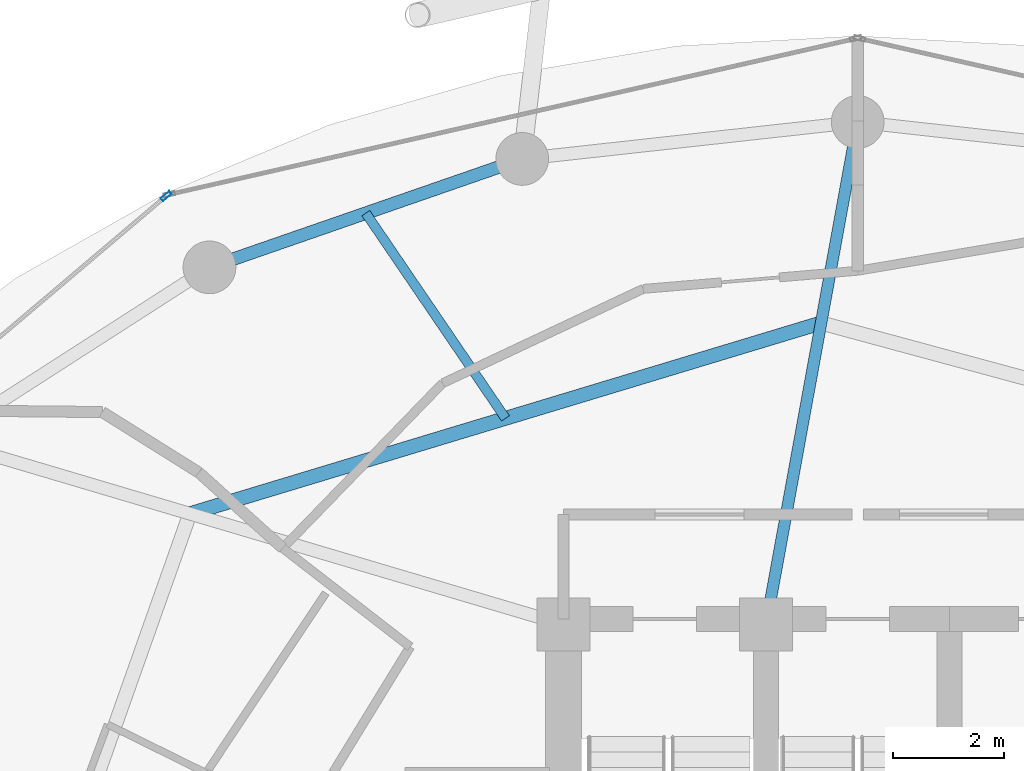
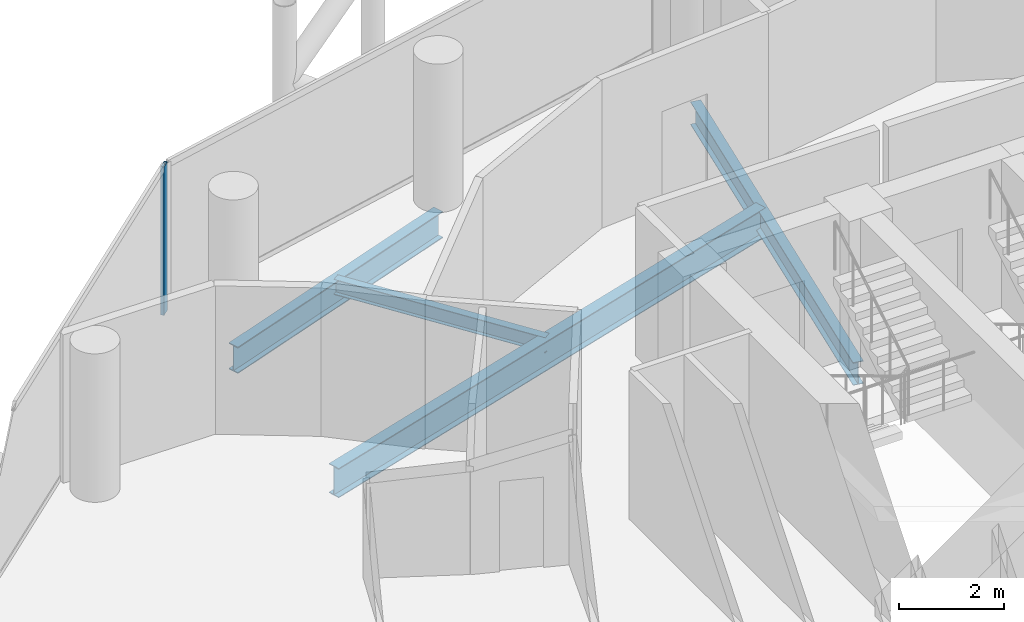
# One storey, part 15 of 26: 4 beams, 1 member, 1 element without a shape of its own.
"""IFC4 building model written with IfcOpenShell, lengths in metres."""

import ifcopenshell
import ifcopenshell.guid

model = None  # the IFC model being written
_history = None  # IfcOwnerHistory: only IFC2X3 demands one
_inside = {}  # id of a spatial element -> (the spatial element, [elements in it])
_under = {}  # id of a project, library or spatial element -> (it, [spatial elements below it])
_declared = {}  # id of a project -> (the project, [libraries it declares])
_typed = {}  # id of a type object -> (the type object, [elements of that type])
_made_of = {}  # id of a material, layer set ... -> (it, [elements and type objects made of it])


def new_model(schema):
    """Start an empty IFC model of exactly this schema.

    Asked for "IFC4X3", IfcOpenShell would pick the latest addendum, in which some entities
    have other attributes; the version numbers below select the first issue.
    IFC2X3 requires an IfcOwnerHistory on every rooted entity: one is made here for all.
    """
    global model, _history
    if schema == "IFC4X3":
        model = ifcopenshell.file(schema_version=(4, 3, 0, 0))
    else:
        model = ifcopenshell.file(schema=schema)
    _inside.clear()
    _under.clear()
    _declared.clear()
    _typed.clear()
    _made_of.clear()
    _history = None
    if model.schema == "IFC2X3":
        org = make("IfcOrganization", Name="unknown")
        user = make(
            "IfcPersonAndOrganization",
            ThePerson=make("IfcPerson", FamilyName="unknown"),
            TheOrganization=org,
        )
        app = make(
            "IfcApplication",
            ApplicationDeveloper=org,
            Version="unknown",
            ApplicationFullName="unknown",
            ApplicationIdentifier="unknown",
        )
        _history = make(
            "IfcOwnerHistory",
            OwningUser=user,
            OwningApplication=app,
            ChangeAction="ADDED",
            CreationDate=0,
        )
    return model


def make(cls, **values):
    """One entity of the class cls with the attributes given. An attribute that is None is left unset."""
    return model.create_entity(
        cls, **{name: value for name, value in values.items() if value is not None}
    )


def rooted(cls, **values):
    """An entity with a GlobalId (a new one), such as an element, a storey or a relation."""
    return make(cls, GlobalId=ifcopenshell.guid.new(), OwnerHistory=_history, **values)


def si_unit(unit_type, name, prefix=None):
    """IfcSIUnit, for example si_unit("LENGTHUNIT", "METRE", prefix="MILLI")."""
    return make("IfcSIUnit", UnitType=unit_type, Prefix=prefix, Name=name)


def assignment(units):
    """IfcUnitAssignment: the units of a project."""
    return None if units is None else make("IfcUnitAssignment", Units=units)


def point(xyz):
    """IfcCartesianPoint."""
    return None if xyz is None else make("IfcCartesianPoint", Coordinates=xyz)


def direction(xyz):
    """IfcDirection."""
    return None if xyz is None else make("IfcDirection", DirectionRatios=xyz)


def frame(location, z_axis=None, x_axis=None):
    """IfcAxis2Placement3D, a coordinate frame: its origin and axes. An axis left out is left unset."""
    return make(
        "IfcAxis2Placement3D",
        Location=point(location),
        Axis=direction(z_axis),
        RefDirection=direction(x_axis),
    )


def frame_2d(location, x_axis=None):
    """IfcAxis2Placement2D, a coordinate frame in the plane: its origin and x axis."""
    return make(
        "IfcAxis2Placement2D", Location=point(location), RefDirection=direction(x_axis)
    )


def origin():
    """The frame at (0, 0, 0) with its axes left unset."""
    return frame((0.0, 0.0, 0.0))


def origin_2d():
    """The frame at (0, 0) in the plane with its x axis left unset."""
    return frame_2d((0.0, 0.0))


def place(relative_to, where):
    """IfcLocalPlacement: puts the frame where relative to a parent placement (None: the world)."""
    return make(
        "IfcLocalPlacement", PlacementRelTo=relative_to, RelativePlacement=where
    )


def context(
    kind, dimensions, precision=None, world=None, true_north=None, identifier=None
):
    """IfcGeometricRepresentationContext, for example the 3D "Model" context."""
    return make(
        "IfcGeometricRepresentationContext",
        ContextIdentifier=identifier,
        ContextType=kind,
        CoordinateSpaceDimension=dimensions,
        Precision=precision,
        WorldCoordinateSystem=world,
        TrueNorth=true_north,
    )


def subcontext(parent, identifier, kind, view, scale=None):
    """IfcGeometricRepresentationSubContext, for example "Body" below "Model"."""
    return make(
        "IfcGeometricRepresentationSubContext",
        ContextIdentifier=identifier,
        ContextType=kind,
        ParentContext=parent,
        TargetScale=scale,
        TargetView=view,
    )


def project(units=None, contexts=None):
    """IfcProject with its units and contexts."""
    return rooted(
        "IfcProject",
        Name="project",
        RepresentationContexts=contexts,
        UnitsInContext=assignment(units),
    )


def spatial(cls, under=None, at=None, **own):
    """A site, building, storey or space (cls), placed at a placement, below another one or the project."""
    s = rooted(cls, ObjectPlacement=at, **own)
    if under is not None:
        _under.setdefault(under.id(), (under, []))[1].append(s)
    return s


def profile(cls, at=None, kind="AREA", **sizes):
    """A parametric profile (cls). Its sizes go by their IFC names, for example OverallWidth=200.0."""
    return make(cls, ProfileType=kind, Position=at, **sizes)


def hollow_rectangle(**sizes):
    """IfcRectangleHollowProfileDef."""
    return profile("IfcRectangleHollowProfileDef", **sizes)


def i_section(**sizes):
    """IfcIShapeProfileDef."""
    return profile("IfcIShapeProfileDef", **sizes)


def extrude(swept, where, along, depth):
    """IfcExtrudedAreaSolid: the profile swept, set in the frame where, extruded along a direction by depth."""
    return make(
        "IfcExtrudedAreaSolid",
        SweptArea=swept,
        Position=where,
        ExtrudedDirection=direction(along),
        Depth=depth,
    )


def shape(context_of_items, identifier, shape_type, items):
    """IfcShapeRepresentation: the items that make up one representation, for example the "Body"."""
    return make(
        "IfcShapeRepresentation",
        ContextOfItems=context_of_items,
        RepresentationIdentifier=identifier,
        RepresentationType=shape_type,
        Items=items,
    )


def material(Name=None, Category=None):
    """IfcMaterial."""
    return make("IfcMaterial", Name=Name, Category=Category)


def layer(
    of_material, thickness, ventilated=None, Name=None, Category=None, Priority=None
):
    """IfcMaterialLayer: one layer of a wall or slab, of a material (None: an air gap)."""
    return make(
        "IfcMaterialLayer",
        Material=of_material,
        LayerThickness=thickness,
        IsVentilated=ventilated,
        Name=Name,
        Category=Category,
        Priority=Priority,
    )


def layer_set(layers, Name=None):
    """IfcMaterialLayerSet."""
    return make("IfcMaterialLayerSet", MaterialLayers=layers, LayerSetName=Name)


def material_profile(
    of_material, cross_section, Name=None, Category=None, Priority=None
):
    """IfcMaterialProfile: a cross section and its material."""
    return make(
        "IfcMaterialProfile",
        Name=Name,
        Material=of_material,
        Profile=cross_section,
        Priority=Priority,
        Category=Category,
    )


def profile_set(profiles, Name=None, composite=None):
    """IfcMaterialProfileSet."""
    return make(
        "IfcMaterialProfileSet",
        Name=Name,
        MaterialProfiles=profiles,
        CompositeProfile=composite,
    )


def made_of(thing, what):
    """Note that an element or type object is made of a material, layer set ...; save() writes the relation."""
    if what is not None:
        _made_of.setdefault(what.id(), (what, []))[1].append(thing)
    return thing


def type_object(cls, material=None, **own):
    """A type object (cls), such as IfcWallType, which elements share."""
    return made_of(rooted(cls, **own), material)


def element(
    cls,
    number,
    at=None,
    inside=None,
    cuts=None,
    type_object=None,
    material=None,
    context=None,
    identifier="Body",
    shape_type=None,
    held_by="IfcProductDefinitionShape",
    body=None,
    shapes=None,
    **own,
):
    """One element of the class cls, such as IfcWall. Its Tag is "e" and its number.

    at: its placement. inside: the storey or other place that contains it. cuts: it is an
    opening in that element (IfcRelVoidsElement). A single representation is given by context,
    identifier, shape_type and body (its items); several are given by shapes. held_by: the class
    of the entity that holds the representations. save() writes the other relations.
    """
    e = rooted(cls, Tag="e%d" % number, ObjectPlacement=at, **own)
    if body is not None:
        shapes = [shape(context, identifier, shape_type, body)]
    if shapes is not None:
        e.Representation = make(held_by, Representations=shapes)
    if inside is not None:
        _inside.setdefault(inside.id(), (inside, []))[1].append(e)
    if cuts is not None:
        rooted(
            "IfcRelVoidsElement", RelatingBuildingElement=cuts, RelatedOpeningElement=e
        )
    if type_object is not None:
        _typed.setdefault(type_object.id(), (type_object, []))[1].append(e)
    return made_of(e, material)


def aggregate(whole, parts):
    """IfcRelAggregates: a whole, such as a stair, and the parts it consists of."""
    return rooted("IfcRelAggregates", RelatingObject=whole, RelatedObjects=parts)


def save(model, path):
    """Write the relations noted so far, then the file.

    IfcRelAggregates (storeys below a building ...), IfcRelContainedInSpatialStructure (elements
    in a storey), IfcRelDefinesByType, IfcRelAssociatesMaterial and IfcRelDeclares: one each for
    every whole, place, type object, material and project.
    """
    for whole, parts in _under.values():
        aggregate(whole, parts)
    for where, things in _inside.values():
        rooted(
            "IfcRelContainedInSpatialStructure",
            RelatedElements=things,
            RelatingStructure=where,
        )
    for kind, things in _typed.values():
        rooted("IfcRelDefinesByType", RelatedObjects=things, RelatingType=kind)
    for what, things in _made_of.values():
        rooted("IfcRelAssociatesMaterial", RelatedObjects=things, RelatingMaterial=what)
    for by, libraries in _declared.values():
        rooted("IfcRelDeclares", RelatingContext=by, RelatedDefinitions=libraries)
    model.write(path)


model = new_model("IFC4")

# Units and contexts
model_context = context("Model", 3, precision=1e-05, world=origin(), true_north=direction((0.0, 1.0)))
body_context = subcontext(model_context, "Body", "Model", "MODEL_VIEW")
ifc_project = project(units=[si_unit("LENGTHUNIT", "METRE"), si_unit("AREAUNIT", "SQUARE_METRE"), si_unit("VOLUMEUNIT", "CUBIC_METRE"), si_unit("PLANEANGLEUNIT", "RADIAN"), si_unit("MASSUNIT", "GRAM", prefix="KILO")], contexts=[model_context])

# Site, building, storey
site_placement = place(None, origin())
site = spatial("IfcSite", under=ifc_project, at=site_placement, CompositionType="ELEMENT")
building_placement = place(site_placement, origin())
building = spatial("IfcBuilding", under=site, at=building_placement, Name="Nuhasar Tower", CompositionType="ELEMENT")
storey_placement = place(building_placement, frame((0.0, 0.0, 173.75)))
storey = spatial("IfcBuildingStorey", under=building, at=storey_placement, Name="L42", CompositionType="ELEMENT", Elevation=173.75)

# Beams
ifc_material_1 = material(Name="Steel S355", Category="steel")
ifc_material_profile_1 = material_profile(ifc_material_1, i_section(OverallWidth=0.25390625, OverallDepth=0.68408203125, WebThickness=0.012451171875, FlangeThickness=0.018798828125, at=origin_2d()), Name="W27X94")
ifc_profile_set_1 = profile_set([ifc_material_profile_1], Name="Steel S355")
beam_type_1 = type_object("IfcBeamType", Name="BM-INRING-W27X94", PredefinedType="BEAM", material=ifc_profile_set_1)
beam_1_placement = place(storey_placement, frame((38.340087890625, 42.72998046875, -0.592041015625), z_axis=(-0.95722440557, -0.289346569673, 0.0), x_axis=(0.289346569673, -0.95722440557, 0.0)))
element("IfcBeam", 1, at=beam_1_placement, inside=storey, type_object=beam_type_1, Name="L42 Inner Header Beam 06", PredefinedType="BEAM", context=body_context, shape_type="SweptSolid", body=[
    extrude(i_section(OverallWidth=0.25390625, OverallDepth=0.68408203125, WebThickness=0.012451171875, FlangeThickness=0.018798828125, at=origin_2d()), origin(), (0.0, 0.0, 1.0), 11.875244140625),
])
ifc_material_profile_2 = material_profile(ifc_material_1, i_section(OverallWidth=0.1708984375, OverallDepth=0.35205078125, WebThickness=0.0068359375, FlangeThickness=0.009765625, at=origin_2d()), Name="W14X30")
ifc_profile_set_2 = profile_set([ifc_material_profile_2], Name="Steel S355")
beam_type_2 = type_object("IfcBeamType", Name="BM-JST-W14X30", PredefinedType="JOIST", material=ifc_profile_set_2)
beam_2_placement = place(storey_placement, frame((32.656982421875, 41.011962890625, -0.426025390625), z_axis=(-0.562802886474, 0.826591138941, 0.0), x_axis=(-0.826591138941, -0.562802886474, 0.0)))
element("IfcBeam", 2, at=beam_2_placement, inside=storey, type_object=beam_type_2, Name="L42 Secondary Floor Joist 06", PredefinedType="JOIST", context=body_context, shape_type="SweptSolid", body=[
    extrude(i_section(OverallWidth=0.1708984375, OverallDepth=0.35205078125, WebThickness=0.0068359375, FlangeThickness=0.009765625, at=origin_2d()), origin(), (0.0, 0.0, 1.0), 4.47021484375),
])
ifc_material_profile_3 = material_profile(ifc_material_1, i_section(OverallWidth=0.208984375, OverallDepth=0.532958984375, WebThickness=0.01025390625, FlangeThickness=0.015625, at=origin_2d()), Name="W21X62")
ifc_profile_set_3 = profile_set([ifc_material_profile_3], Name="Steel S355")
beam_type_3 = type_object("IfcBeamType", Name="BM-RAD-W21X62", PredefinedType="BEAM", material=ifc_profile_set_3)
beam_3_placement = place(storey_placement, frame((37.35009765625, 37.300048828125, -0.51708984375), z_axis=(0.179352509513, 0.983784873502, 0.0), x_axis=(-0.983784873502, 0.179352509513, 0.0)))
element("IfcBeam", 3, at=beam_3_placement, inside=storey, type_object=beam_type_3, Name="L42 Radial Floor Girder 06", PredefinedType="BEAM", context=body_context, shape_type="SweptSolid", body=[
    extrude(i_section(OverallWidth=0.208984375, OverallDepth=0.532958984375, WebThickness=0.01025390625, FlangeThickness=0.015625, at=origin_2d()), origin(), (0.0, 0.0, 1.0), 9.19921875),
])
ifc_material_profile_4 = material_profile(ifc_material_1, i_section(OverallWidth=0.22998046875, OverallDepth=0.616943359375, WebThickness=0.01318359375, FlangeThickness=0.022216796875, at=origin_2d()), Name="W24X94")
ifc_profile_set_4 = profile_set([ifc_material_profile_4], Name="Steel S355")
beam_type_4 = type_object("IfcBeamType", Name="BM-RING-W24X94", PredefinedType="SPANDREL", material=ifc_profile_set_4)
beam_4_placement = place(storey_placement, frame((32.95703125, 45.68408203125, -0.55908203125), z_axis=(-0.944801380051, -0.327643636066, 0.0), x_axis=(0.327643636066, -0.944801380051, 0.0)))
element("IfcBeam", 4, at=beam_4_placement, inside=storey, type_object=beam_type_4, Name="L42 Perimeter Ring Spandrel 08", PredefinedType="SPANDREL", context=body_context, shape_type="SweptSolid", body=[
    extrude(i_section(OverallWidth=0.22998046875, OverallDepth=0.616943359375, WebThickness=0.01318359375, FlangeThickness=0.022216796875, at=origin_2d()), origin(), (0.0, 0.0, 1.0), 5.961181640625),
])

# Curtain wall, member
ifc_material_2 = material(Name="Aluminium 6063-T6", Category="aluminium")
ifc_layer = layer(ifc_material_2, 0.199951171875)
ifc_layer_set = layer_set([ifc_layer], Name="Aluminium 6063-T6")
curtain_wall_type = type_object("IfcCurtainWallType", Name="CW-Z2-HTL", PredefinedType="NOTDEFINED", material=ifc_layer_set)
curtain_wall_placement = place(storey_placement, origin())
curtain_wall = element("IfcCurtainWall", 5, at=curtain_wall_placement, inside=storey, type_object=curtain_wall_type, Name="L42 Unitised Curtain Wall 05", PredefinedType="NOTDEFINED")
ifc_material_profile_5 = material_profile(ifc_material_2, hollow_rectangle(XDim=0.070068359375, YDim=0.199951171875, WallThickness=0.0048828125, at=origin_2d()), Name="CWM-3")
ifc_profile_set_5 = profile_set([ifc_material_profile_5], Name="Aluminium 6063-T6")
member_type = type_object("IfcMemberType", Name="CW-MUL-S3", PredefinedType="MULLION", material=ifc_profile_set_5)
member_placement = place(storey_placement, frame((26.543212890625, 45.015380859375, 0.0), z_axis=(0.0, 0.0, 1.0), x_axis=(0.646374438324, -0.763020370292, 0.0)))
member = element("IfcMember", 6, at=member_placement, type_object=member_type, Name="CW-Z2 mullion 1", PredefinedType="MULLION", context=body_context, shape_type="SweptSolid", body=[
    extrude(hollow_rectangle(XDim=0.070068359375, YDim=0.199951171875, WallThickness=0.0048828125, at=origin_2d()), origin(), (0.0, 0.0, 1.0), 3.449951171875),
])
aggregate(curtain_wall, [member])

save(model, "model.ifc")
